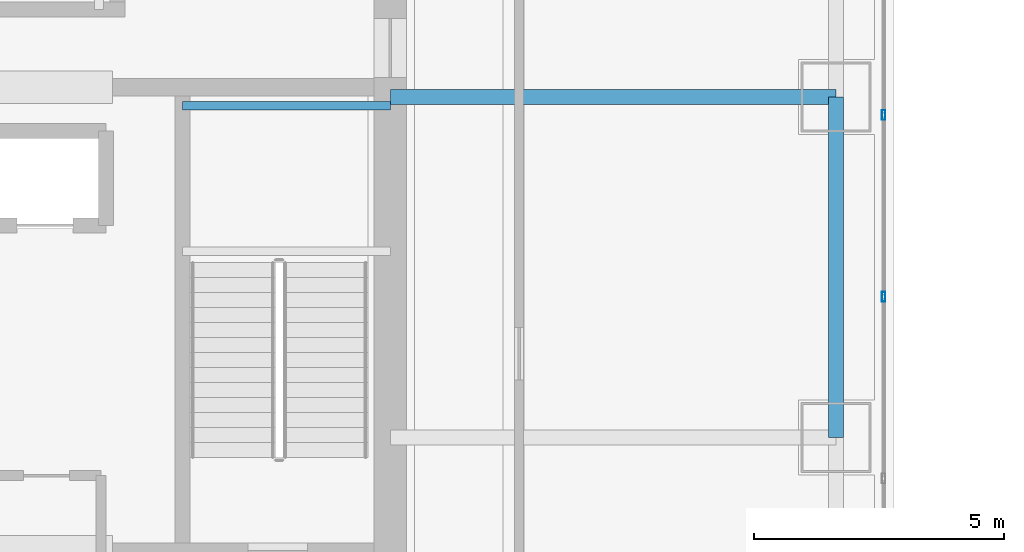
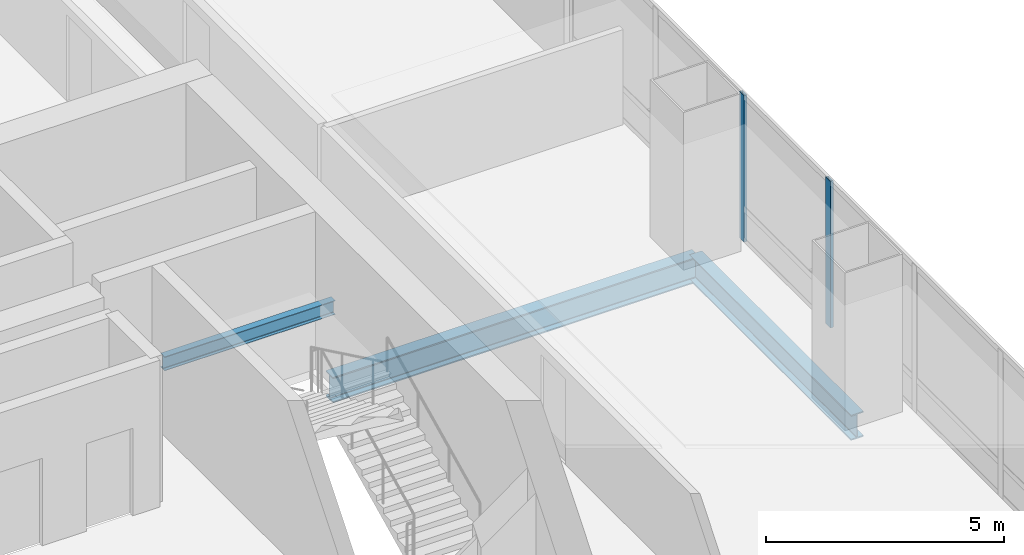
# One storey, part 18 of 46: 3 beams, 2 members, 1 element without a shape of its own.
"""IFC4 building model written with IfcOpenShell, lengths in metres."""

from ifc_helpers import new_model, si_unit, direction, frame, origin, origin_2d, place, context, subcontext, project, spatial, hollow_rectangle, i_section, extrude, material, material_profile, profile_set, type_object, element, aggregate, save


model = new_model("IFC4")

# Units and contexts
model_context = context("Model", 3, precision=1e-05, world=origin(), true_north=direction((0.0, 1.0)))
body_context = subcontext(model_context, "Body", "Model", "MODEL_VIEW")
ifc_project = project(units=[si_unit("LENGTHUNIT", "METRE"), si_unit("AREAUNIT", "SQUARE_METRE"), si_unit("VOLUMEUNIT", "CUBIC_METRE"), si_unit("PLANEANGLEUNIT", "RADIAN"), si_unit("MASSUNIT", "GRAM", prefix="KILO")], contexts=[model_context])

# Site, building, storey
site_placement = place(None, origin())
site = spatial("IfcSite", under=ifc_project, at=site_placement, CompositionType="ELEMENT")
building_placement = place(site_placement, origin())
building = spatial("IfcBuilding", under=site, at=building_placement, Name="Punatoya Terracotta Tower", CompositionType="ELEMENT")
storey_placement = place(building_placement, frame((0.0, 0.0, 200.550048828125)))
storey = spatial("IfcBuildingStorey", under=building, at=storey_placement, Name="L47", CompositionType="ELEMENT", Elevation=200.550048828125)

# Beams
ifc_material_1 = material(Name="Steel S355", Category="steel")
ifc_material_profile_1 = material_profile(ifc_material_1, i_section(OverallWidth=0.300048828125, OverallDepth=0.64990234375, WebThickness=0.01611328125, FlangeThickness=0.031005859375, FilletRadius=0.01806640625, at=origin_2d()))
ifc_profile_set_1 = profile_set([ifc_material_profile_1], Name="Steel S355")
beam_type_1 = type_object("IfcBeamType", Name="BM-PRI-650", PredefinedType="BEAM", material=ifc_profile_set_1)
beam_1_placement = place(storey_placement, frame((19.10009765625, -3.39990234375, -0.545166015625), z_axis=(0.0, 1.0, 0.0), x_axis=(-1.0, 0.0, 0.0)))
element("IfcBeam", 1, at=beam_1_placement, inside=storey, type_object=beam_type_1, Name="BM-L47-RG-E2", PredefinedType="BEAM", context=body_context, shape_type="SweptSolid", body=[
    extrude(i_section(OverallWidth=0.300048828125, OverallDepth=0.64990234375, WebThickness=0.01611328125, FlangeThickness=0.031005859375, FilletRadius=0.01806640625, at=origin_2d()), origin(), (0.0, 0.0, 1.0), 6.7998046875),
])
beam_2_placement = place(storey_placement, frame((10.199951171875, 3.39990234375, -0.545166015625), z_axis=(1.0, 0.0, 0.0), x_axis=(0.0, 1.0, 0.0)))
element("IfcBeam", 2, at=beam_2_placement, inside=storey, type_object=beam_type_1, Name="BM-L47-PR-EE", PredefinedType="BEAM", context=body_context, shape_type="SweptSolid", body=[
    extrude(i_section(OverallWidth=0.300048828125, OverallDepth=0.64990234375, WebThickness=0.01611328125, FlangeThickness=0.031005859375, FilletRadius=0.01806640625, at=origin_2d()), origin(), (0.0, 0.0, 1.0), 8.900146484375),
])
ifc_material_profile_2 = material_profile(ifc_material_1, i_section(OverallWidth=0.169921875, OverallDepth=0.360107421875, WebThickness=0.008056640625, FlangeThickness=0.0126953125, FilletRadius=0.01806640625, at=origin_2d()))
ifc_profile_set_2 = profile_set([ifc_material_profile_2], Name="Steel S355")
beam_type_2 = type_object("IfcBeamType", Name="BM-SEC-360", PredefinedType="JOIST", material=ifc_profile_set_2)
beam_3_placement = place(storey_placement, frame((6.050048828125, 3.22998046875, 1.64501953125), z_axis=(1.0, 0.0, 0.0), x_axis=(0.0, 1.0, 0.0)))
element("IfcBeam", 3, at=beam_3_placement, inside=storey, type_object=beam_type_2, Name="BM-L47-ST-2-LD1B", PredefinedType="JOIST", context=body_context, shape_type="SweptSolid", body=[
    extrude(i_section(OverallWidth=0.169921875, OverallDepth=0.360107421875, WebThickness=0.008056640625, FlangeThickness=0.0126953125, FilletRadius=0.01806640625, at=origin_2d()), origin(), (0.0, 0.0, 1.0), 4.14990234375),
])

# Curtain wall, members
ifc_material_2 = material(Name="Aluminium 6063-T6 + Double Low-E Glass", Category="aluminium")
curtain_wall_type = type_object("IfcCurtainWallType", Name="CW-M2", PredefinedType="NOTDEFINED", material=ifc_material_2)
curtain_wall_placement = place(storey_placement, origin())
curtain_wall = element("IfcCurtainWall", 4, at=curtain_wall_placement, inside=storey, type_object=curtain_wall_type, Name="L47 Curtain Wall CW-L47-E05-1", PredefinedType="NOTDEFINED")
ifc_material_3 = material(Name="Aluminium 6063-T6", Category="aluminium")
ifc_material_profile_3 = material_profile(ifc_material_3, hollow_rectangle(XDim=0.072021484375, YDim=0.195068359375, WallThickness=0.00439453125, at=origin_2d()))
ifc_profile_set_3 = profile_set([ifc_material_profile_3], Name="Aluminium 6063-T6")
member_type = type_object("IfcMemberType", Name="CW-MUL-M2", PredefinedType="MULLION", material=ifc_profile_set_3)
member_1_placement = place(storey_placement, frame((20.050048828125, -0.585693359375, 0.0), z_axis=(0.0, 0.0, 1.0), x_axis=(1.0, 0.0, 0.0)))
member_1 = element("IfcMember", 5, at=member_1_placement, type_object=member_type, Name="CW-L47-E05-1 Mullion 04", PredefinedType="MULLION", context=body_context, shape_type="SweptSolid", body=[
    extrude(hollow_rectangle(XDim=0.072021484375, YDim=0.195068359375, WallThickness=0.00439453125, at=origin_2d()), origin(), (0.0, 0.0, 1.0), 3.77001953125),
])
member_2_placement = place(storey_placement, frame((20.050048828125, 3.04296875, 0.0), z_axis=(0.0, 0.0, 1.0), x_axis=(1.0, 0.0, 0.0)))
member_2 = element("IfcMember", 6, at=member_2_placement, type_object=member_type, Name="CW-L47-E05-1 Mullion 05", PredefinedType="MULLION", context=body_context, shape_type="SweptSolid", body=[
    extrude(hollow_rectangle(XDim=0.072021484375, YDim=0.195068359375, WallThickness=0.00439453125, at=origin_2d()), origin(), (0.0, 0.0, 1.0), 3.77001953125),
])
aggregate(curtain_wall, [member_1, member_2])

save(model, "model.ifc")
